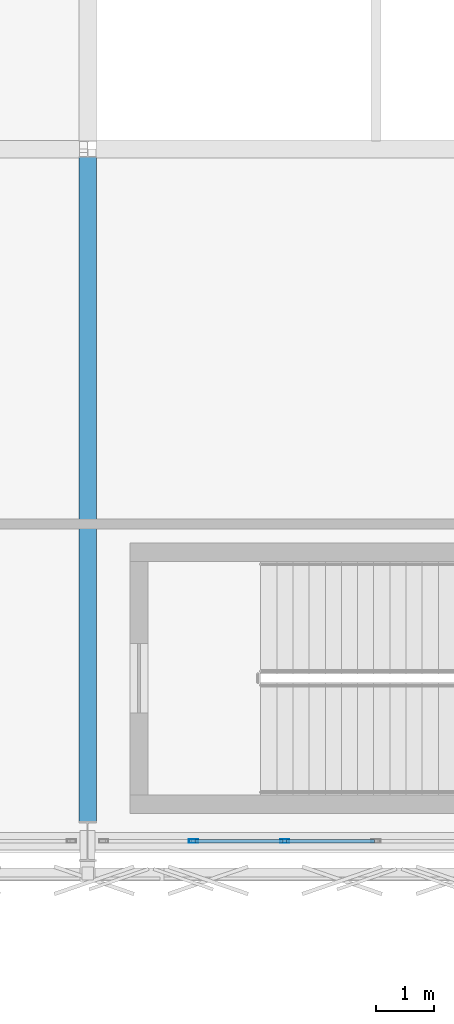
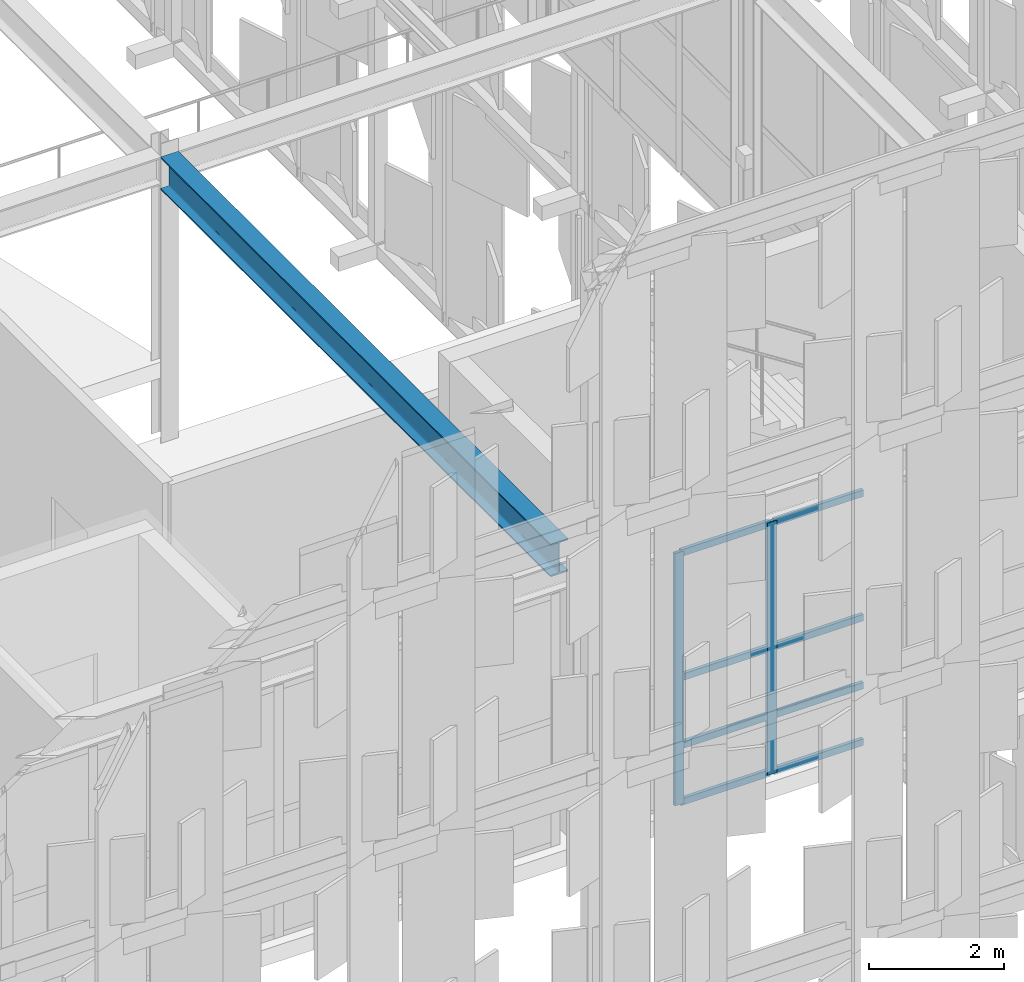
# One storey, part 162 of 239: 10 members, 1 beam, 1 element without a shape of its own.
"""IFC4 building model written with IfcOpenShell, lengths in metres."""

from ifc_helpers import new_model, si_unit, direction, frame, origin, origin_2d, place, context, subcontext, project, spatial, hollow_rectangle, i_section, extrude, material, material_profile, profile_set, type_object, element, aggregate, save


model = new_model("IFC4")

# Units and contexts
model_context = context("Model", 3, precision=1e-05, world=origin(), true_north=direction((0.0, 1.0)))
body_context = subcontext(model_context, "Body", "Model", "MODEL_VIEW")
ifc_project = project(units=[si_unit("LENGTHUNIT", "METRE"), si_unit("AREAUNIT", "SQUARE_METRE"), si_unit("VOLUMEUNIT", "CUBIC_METRE"), si_unit("PLANEANGLEUNIT", "RADIAN"), si_unit("MASSUNIT", "GRAM", prefix="KILO")], contexts=[model_context])

# Site, building, storey
site_placement = place(None, origin())
site = spatial("IfcSite", under=ifc_project, at=site_placement, CompositionType="ELEMENT")
building_placement = place(site_placement, origin())
building = spatial("IfcBuilding", under=site, at=building_placement, Name="Kaldris Quays Convention Centre", CompositionType="ELEMENT")
storey_placement = place(building_placement, frame((0.0, 0.0, 11.39990234375)))
storey = spatial("IfcBuildingStorey", under=building, at=storey_placement, Name="L02", CompositionType="ELEMENT", Elevation=11.39990234375)

# Curtain wall, members
ifc_material_1 = material(Name="Anodized aluminium AW-6060 and triple glazing", Category="aluminium")
curtain_wall_type = type_object("IfcCurtainWallType", Name="UNITISED CURTAIN WALL CW01", PredefinedType="NOTDEFINED", material=ifc_material_1)
curtain_wall_placement = place(storey_placement, origin())
curtain_wall = element("IfcCurtainWall", 1, at=curtain_wall_placement, inside=storey, type_object=curtain_wall_type, Name="L02 Unitised Curtain Wall CW01 32", PredefinedType="NOTDEFINED")
ifc_material_2 = material(Name="Anodized aluminium AW-6060", Category="aluminium")
ifc_material_profile_1 = material_profile(ifc_material_2, hollow_rectangle(XDim=0.06005859375, YDim=0.159912109375, WallThickness=0.00390625, at=origin_2d()), Name="RHS 160x60x4")
ifc_profile_set_1 = profile_set([ifc_material_profile_1], Name="Anodized aluminium AW-6060")
member_type_1 = type_object("IfcMemberType", Name="CURTAIN MULLION CWM1", PredefinedType="MULLION", material=ifc_profile_set_1)
member_1_placement = place(storey_placement, frame((195.833251953125, 56.0, 0.0), z_axis=(0.0, 0.0, 1.0), x_axis=(0.0, 1.0, 0.0)))
member_1 = element("IfcMember", 2, at=member_1_placement, type_object=member_type_1, Name="CW01 mullion 2", PredefinedType="MULLION", context=body_context, shape_type="SweptSolid", body=[
    extrude(hollow_rectangle(XDim=0.06005859375, YDim=0.159912109375, WallThickness=0.00390625, at=origin_2d()), origin(), (0.0, 0.0, 1.0), 4.548095703125),
])
member_2_placement = place(storey_placement, frame((197.416748046875, 56.0, 0.0), z_axis=(0.0, 0.0, 1.0), x_axis=(0.0, 1.0, 0.0)))
member_2 = element("IfcMember", 3, at=member_2_placement, type_object=member_type_1, Name="CW01 mullion 3", PredefinedType="MULLION", context=body_context, shape_type="SweptSolid", body=[
    extrude(hollow_rectangle(XDim=0.06005859375, YDim=0.159912109375, WallThickness=0.00390625, at=origin_2d()), origin(), (0.0, 0.0, 1.0), 4.548095703125),
])
ifc_material_profile_2 = material_profile(ifc_material_2, hollow_rectangle(XDim=0.06005859375, YDim=0.1201171875, WallThickness=0.00390625, at=origin_2d()), Name="RHS 120x60x4")
ifc_profile_set_2 = profile_set([ifc_material_profile_2], Name="Anodized aluminium AW-6060")
member_type_2 = type_object("IfcMemberType", Name="CURTAIN TRANSOM CWT1", PredefinedType="USERDEFINED", material=ifc_profile_set_2)
member_3_placement = place(storey_placement, frame((195.86328125, 56.0, 0.030029296875), z_axis=(1.0, 0.0, 0.0), x_axis=(0.0, 1.0, 0.0)))
member_3 = element("IfcMember", 4, at=member_3_placement, type_object=member_type_2, Name="CW01 transom 2.1", ObjectType="TRANSOM", PredefinedType="USERDEFINED", context=body_context, shape_type="SweptSolid", body=[
    extrude(hollow_rectangle(XDim=0.06005859375, YDim=0.1201171875, WallThickness=0.00390625, at=origin_2d()), origin(), (0.0, 0.0, 1.0), 1.5234375),
])
member_4_placement = place(storey_placement, frame((195.86328125, 56.0, 1.050048828125), z_axis=(1.0, 0.0, 0.0), x_axis=(0.0, 1.0, 0.0)))
member_4 = element("IfcMember", 5, at=member_4_placement, type_object=member_type_2, Name="CW01 transom 2.2", ObjectType="TRANSOM", PredefinedType="USERDEFINED", context=body_context, shape_type="SweptSolid", body=[
    extrude(hollow_rectangle(XDim=0.06005859375, YDim=0.1201171875, WallThickness=0.00390625, at=origin_2d()), origin(), (0.0, 0.0, 1.0), 1.5234375),
])
member_5_placement = place(storey_placement, frame((195.86328125, 56.0, 2.274169921875), z_axis=(1.0, 0.0, 0.0), x_axis=(0.0, 1.0, 0.0)))
member_5 = element("IfcMember", 6, at=member_5_placement, type_object=member_type_2, Name="CW01 transom 2.3", ObjectType="TRANSOM", PredefinedType="USERDEFINED", context=body_context, shape_type="SweptSolid", body=[
    extrude(hollow_rectangle(XDim=0.06005859375, YDim=0.1201171875, WallThickness=0.00390625, at=origin_2d()), origin(), (0.0, 0.0, 1.0), 1.5234375),
])
member_6_placement = place(storey_placement, frame((195.86328125, 56.0, 4.51806640625), z_axis=(1.0, 0.0, 0.0), x_axis=(0.0, 1.0, 0.0)))
member_6 = element("IfcMember", 7, at=member_6_placement, type_object=member_type_2, Name="CW01 transom 2.4", ObjectType="TRANSOM", PredefinedType="USERDEFINED", context=body_context, shape_type="SweptSolid", body=[
    extrude(hollow_rectangle(XDim=0.06005859375, YDim=0.1201171875, WallThickness=0.00390625, at=origin_2d()), origin(), (0.0, 0.0, 1.0), 1.5234375),
])
member_7_placement = place(storey_placement, frame((197.44677734375, 56.0, 0.030029296875), z_axis=(1.0, 0.0, 0.0), x_axis=(0.0, 1.0, 0.0)))
member_7 = element("IfcMember", 8, at=member_7_placement, type_object=member_type_2, Name="CW01 transom 3.1", ObjectType="TRANSOM", PredefinedType="USERDEFINED", context=body_context, shape_type="SweptSolid", body=[
    extrude(hollow_rectangle(XDim=0.06005859375, YDim=0.1201171875, WallThickness=0.00390625, at=origin_2d()), origin(), (0.0, 0.0, 1.0), 1.523193359375),
])
member_8_placement = place(storey_placement, frame((197.44677734375, 56.0, 1.050048828125), z_axis=(1.0, 0.0, 0.0), x_axis=(0.0, 1.0, 0.0)))
member_8 = element("IfcMember", 9, at=member_8_placement, type_object=member_type_2, Name="CW01 transom 3.2", ObjectType="TRANSOM", PredefinedType="USERDEFINED", context=body_context, shape_type="SweptSolid", body=[
    extrude(hollow_rectangle(XDim=0.06005859375, YDim=0.1201171875, WallThickness=0.00390625, at=origin_2d()), origin(), (0.0, 0.0, 1.0), 1.523193359375),
])
member_9_placement = place(storey_placement, frame((197.44677734375, 56.0, 2.274169921875), z_axis=(1.0, 0.0, 0.0), x_axis=(0.0, 1.0, 0.0)))
member_9 = element("IfcMember", 10, at=member_9_placement, type_object=member_type_2, Name="CW01 transom 3.3", ObjectType="TRANSOM", PredefinedType="USERDEFINED", context=body_context, shape_type="SweptSolid", body=[
    extrude(hollow_rectangle(XDim=0.06005859375, YDim=0.1201171875, WallThickness=0.00390625, at=origin_2d()), origin(), (0.0, 0.0, 1.0), 1.523193359375),
])
member_10_placement = place(storey_placement, frame((197.44677734375, 56.0, 4.51806640625), z_axis=(1.0, 0.0, 0.0), x_axis=(0.0, 1.0, 0.0)))
member_10 = element("IfcMember", 11, at=member_10_placement, type_object=member_type_2, Name="CW01 transom 3.4", ObjectType="TRANSOM", PredefinedType="USERDEFINED", context=body_context, shape_type="SweptSolid", body=[
    extrude(hollow_rectangle(XDim=0.06005859375, YDim=0.1201171875, WallThickness=0.00390625, at=origin_2d()), origin(), (0.0, 0.0, 1.0), 1.523193359375),
])
aggregate(curtain_wall, [member_1, member_2, member_3, member_4, member_5, member_6, member_7, member_8, member_9, member_10])

# Beam
ifc_material_3 = material(Name="Steel S355J2", Category="steel")
ifc_material_profile_3 = material_profile(ifc_material_3, i_section(OverallWidth=0.300048828125, OverallDepth=0.590087890625, WebThickness=0.012939453125, FlangeThickness=0.02490234375, FilletRadius=0.027099609375, at=origin_2d()), Name="HEA 600")
ifc_profile_set_3 = profile_set([ifc_material_profile_3], Name="Steel S355J2")
beam_type = type_object("IfcBeamType", Name="STRUCTURAL BEAM BM08", PredefinedType="BEAM", material=ifc_profile_set_3)
beam_placement = place(storey_placement, frame((194.0, 56.343994140625, 4.8681640625), z_axis=(0.0, 1.0, 0.0), x_axis=(-1.0, 0.0, 0.0)))
element("IfcBeam", 12, at=beam_placement, inside=storey, type_object=beam_type, Name="L02 Girder BM08 20", PredefinedType="BEAM", context=body_context, shape_type="SweptSolid", body=[
    extrude(i_section(OverallWidth=0.300048828125, OverallDepth=0.590087890625, WebThickness=0.012939453125, FlangeThickness=0.02490234375, FilletRadius=0.027099609375, at=origin_2d()), origin(), (0.0, 0.0, 1.0), 11.51708984375),
])

save(model, "model.ifc")
